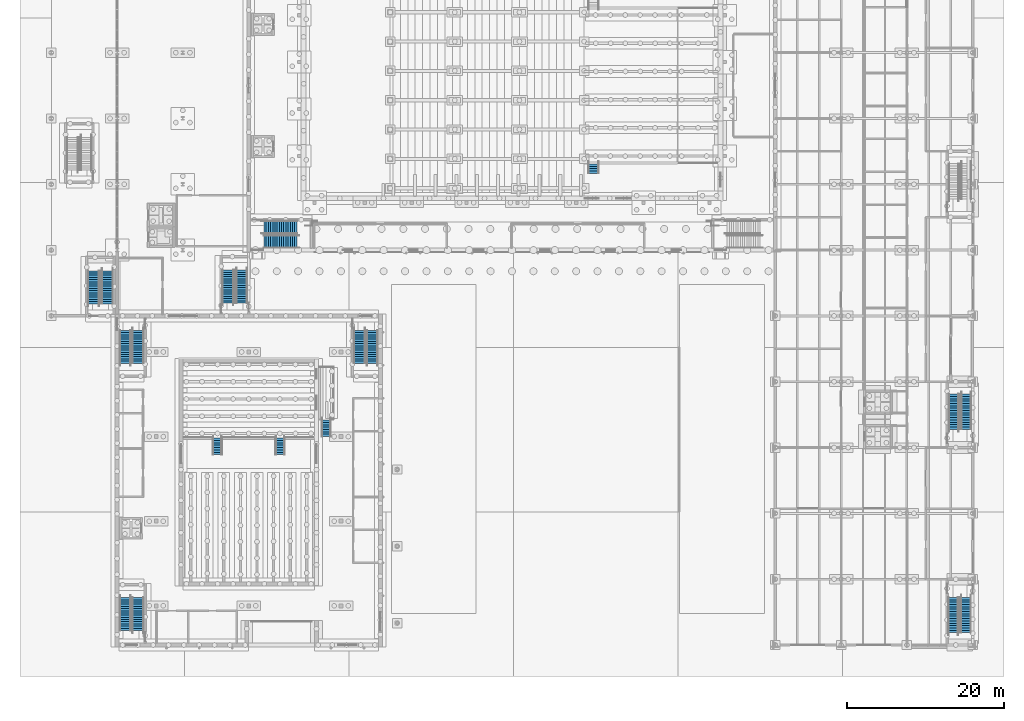
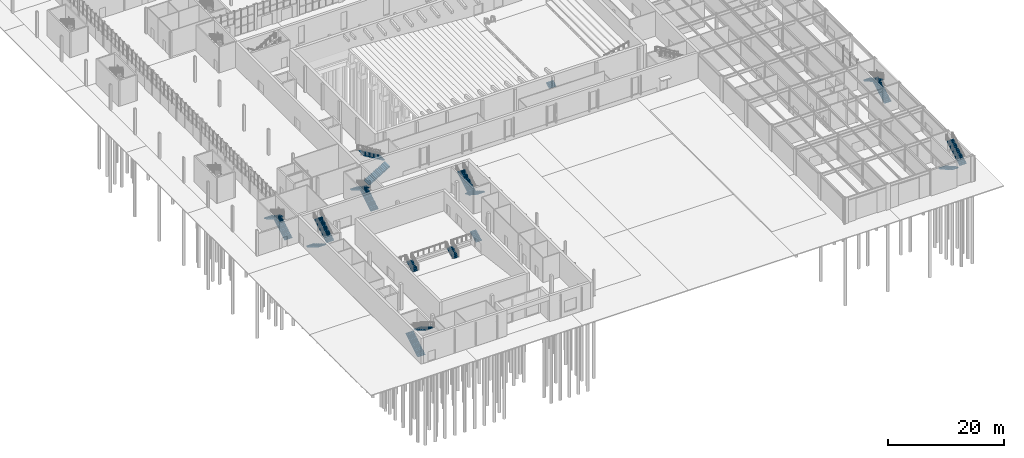
# One storey, part 78 of 127: 20 stair flights, 12 elements without a shape of their own.
"""IFC4 building model written with IfcOpenShell, lengths in metres."""

from ifc_helpers import new_model, si_unit, direction, frame, origin, place, context, subcontext, project, spatial, polyline, outline, extrude, material, type_object, element, aggregate, save


model = new_model("IFC4")

# Units and contexts
model_context = context("Model", 3, precision=1e-05, world=origin(), true_north=direction((0.0, 1.0)))
body_context = subcontext(model_context, "Body", "Model", "MODEL_VIEW")
ifc_project = project(units=[si_unit("LENGTHUNIT", "METRE"), si_unit("AREAUNIT", "SQUARE_METRE"), si_unit("VOLUMEUNIT", "CUBIC_METRE"), si_unit("PLANEANGLEUNIT", "RADIAN"), si_unit("MASSUNIT", "GRAM", prefix="KILO")], contexts=[model_context])

# Site, building, storey
site_placement = place(None, origin())
site = spatial("IfcSite", under=ifc_project, at=site_placement, CompositionType="ELEMENT")
building_placement = place(site_placement, origin())
building = spatial("IfcBuilding", under=site, at=building_placement, Name="Ljudholm Concert House", CompositionType="ELEMENT")
storey_placement = place(building_placement, origin())
storey = spatial("IfcBuildingStorey", under=building, at=storey_placement, Name="L00", CompositionType="ELEMENT", Elevation=0.0)

# Stair, stair flights
ifc_material_1 = material(Name="Concrete 5,000 psi", Category="concrete")
stair_type_1 = type_object("IfcStairType", Name="RC STAIR 1350x169x300", PredefinedType="HALF_TURN_STAIR", material=ifc_material_1)
stair_1_placement = place(storey_placement, origin())
stair_1 = element("IfcStair", 1, at=stair_1_placement, inside=storey, type_object=stair_type_1, Name="Stair SB1", PredefinedType="HALF_TURN_STAIR")
ifc_material_2 = material(Name="Concrete 5,000 psi", Category="concrete")
stair_flight_type_1 = type_object("IfcStairFlightType", Name="RC STAIR FLIGHT 1350x169x300", PredefinedType="STRAIGHT", material=ifc_material_2)
stair_flight_1_placement = place(storey_placement, frame((119.125, 10.074951171875, 0.0), z_axis=(0.0, 0.0, 1.0), x_axis=(0.0, -1.0, 0.0)))
stair_flight_1 = element("IfcStairFlight", 2, at=stair_flight_1_placement, type_object=stair_flight_type_1, Name="ST-W00-001 flight 1", NumberOfRisers=16, NumberOfTreads=15, PredefinedType="STRAIGHT", RiserHeight=0.16875, TreadLength=0.3, context=body_context, shape_type="SweptSolid", body=[
    extrude(outline(polyline([(0.0, 0.0), (0.0, 0.168701171875), (0.300048828125, 0.168701171875), (0.300048828125, 0.33740234375), (0.60009765625, 0.33740234375), (0.60009765625, 0.50634765625), (0.89990234375, 0.50634765625), (0.89990234375, 0.675048828125), (1.199951171875, 0.675048828125), (1.199951171875, 0.84375), (1.5, 0.84375), (1.5, 1.012451171875), (1.800048828125, 1.012451171875), (1.800048828125, 1.18115234375), (2.10009765625, 1.18115234375), (2.10009765625, 1.35009765625), (2.39990234375, 1.35009765625), (2.39990234375, 1.518798828125), (2.699951171875, 1.518798828125), (2.699951171875, 1.6875), (3.0, 1.6875), (3.0, 1.856201171875), (3.300048828125, 1.856201171875), (3.300048828125, 2.02490234375), (3.60009765625, 2.02490234375), (3.60009765625, 2.19384765625), (3.89990234375, 2.19384765625), (3.89990234375, 2.362548828125), (4.199951171875, 2.362548828125), (4.199951171875, 2.53125), (4.5, 2.53125), (4.5, 2.699951171875), (4.5, 2.359375), (0.3056640625, 0.0), (0.0, 0.0)])), frame((0.0, 0.675048828125, 0.0), z_axis=(0.0, -1.0, 0.0), x_axis=(1.0, 0.0, 0.0)), (0.0, 0.0, 1.0), 1.35009765625),
])
stair_flight_2_placement = place(storey_placement, frame((120.72509765625, 5.574951171875, 2.699951171875), z_axis=(0.0, 0.0, 1.0), x_axis=(0.0, 1.0, 0.0)))
stair_flight_2 = element("IfcStairFlight", 3, at=stair_flight_2_placement, type_object=stair_flight_type_1, Name="ST-W00-001 flight 2", NumberOfRisers=16, NumberOfTreads=15, PredefinedType="STRAIGHT", RiserHeight=0.16875, TreadLength=0.3, context=body_context, shape_type="SweptSolid", body=[
    extrude(outline(polyline([(0.0, 0.0), (0.0, 0.168701171875), (0.300048828125, 0.168701171875), (0.300048828125, 0.33740234375), (0.60009765625, 0.33740234375), (0.60009765625, 0.50634765625), (0.89990234375, 0.50634765625), (0.89990234375, 0.675048828125), (1.199951171875, 0.675048828125), (1.199951171875, 0.84375), (1.5, 0.84375), (1.5, 1.012451171875), (1.800048828125, 1.012451171875), (1.800048828125, 1.18115234375), (2.10009765625, 1.18115234375), (2.10009765625, 1.35009765625), (2.39990234375, 1.35009765625), (2.39990234375, 1.518798828125), (2.699951171875, 1.518798828125), (2.699951171875, 1.6875), (3.0, 1.6875), (3.0, 1.856201171875), (3.300048828125, 1.856201171875), (3.300048828125, 2.02490234375), (3.60009765625, 2.02490234375), (3.60009765625, 2.19384765625), (3.89990234375, 2.19384765625), (3.89990234375, 2.362548828125), (4.199951171875, 2.362548828125), (4.199951171875, 2.53125), (4.5, 2.53125), (4.5, 2.699951171875), (4.5, 2.359375), (0.3056640625, 0.0), (0.0, 0.0)])), frame((0.0, 0.675048828125, 0.0), z_axis=(0.0, -1.0, 0.0), x_axis=(1.0, 0.0, 0.0)), (0.0, 0.0, 1.0), 1.35009765625),
])
aggregate(stair_1, [stair_flight_1, stair_flight_2])

stair_2_placement = place(storey_placement, origin())
stair_2 = element("IfcStair", 4, at=stair_2_placement, inside=storey, type_object=stair_type_1, Name="Stair SB2", PredefinedType="HALF_TURN_STAIR")
stair_flight_3_placement = place(storey_placement, frame((120.77490234375, 31.52490234375, 0.0), z_axis=(0.0, 0.0, 1.0), x_axis=(0.0, 1.0, 0.0)))
stair_flight_3 = element("IfcStairFlight", 5, at=stair_flight_3_placement, type_object=stair_flight_type_1, Name="ST-W00-002 flight 1", NumberOfRisers=16, NumberOfTreads=15, PredefinedType="STRAIGHT", RiserHeight=0.16875, TreadLength=0.3, context=body_context, shape_type="SweptSolid", body=[
    extrude(outline(polyline([(0.0, 0.0), (0.0, 0.168701171875), (0.300048828125, 0.168701171875), (0.300048828125, 0.33740234375), (0.60009765625, 0.33740234375), (0.60009765625, 0.50634765625), (0.89990234375, 0.50634765625), (0.89990234375, 0.675048828125), (1.199951171875, 0.675048828125), (1.199951171875, 0.84375), (1.5, 0.84375), (1.5, 1.012451171875), (1.800048828125, 1.012451171875), (1.800048828125, 1.18115234375), (2.10009765625, 1.18115234375), (2.10009765625, 1.35009765625), (2.39990234375, 1.35009765625), (2.39990234375, 1.518798828125), (2.699951171875, 1.518798828125), (2.699951171875, 1.6875), (3.0, 1.6875), (3.0, 1.856201171875), (3.300048828125, 1.856201171875), (3.300048828125, 2.02490234375), (3.60009765625, 2.02490234375), (3.60009765625, 2.19384765625), (3.89990234375, 2.19384765625), (3.89990234375, 2.362548828125), (4.199951171875, 2.362548828125), (4.199951171875, 2.53125), (4.5, 2.53125), (4.5, 2.699951171875), (4.5, 2.359375), (0.3056640625, 0.0), (0.0, 0.0)])), frame((0.0, 0.675048828125, 0.0), z_axis=(0.0, -1.0, 0.0), x_axis=(1.0, 0.0, 0.0)), (0.0, 0.0, 1.0), 1.35009765625),
])
stair_flight_4_placement = place(storey_placement, frame((119.175048828125, 36.02490234375, 2.699951171875), z_axis=(0.0, 0.0, 1.0), x_axis=(0.0, -1.0, 0.0)))
stair_flight_4 = element("IfcStairFlight", 6, at=stair_flight_4_placement, type_object=stair_flight_type_1, Name="ST-W00-002 flight 2", NumberOfRisers=16, NumberOfTreads=15, PredefinedType="STRAIGHT", RiserHeight=0.16875, TreadLength=0.3, context=body_context, shape_type="SweptSolid", body=[
    extrude(outline(polyline([(0.0, 0.0), (0.0, 0.168701171875), (0.300048828125, 0.168701171875), (0.300048828125, 0.33740234375), (0.60009765625, 0.33740234375), (0.60009765625, 0.50634765625), (0.89990234375, 0.50634765625), (0.89990234375, 0.675048828125), (1.199951171875, 0.675048828125), (1.199951171875, 0.84375), (1.5, 0.84375), (1.5, 1.012451171875), (1.800048828125, 1.012451171875), (1.800048828125, 1.18115234375), (2.10009765625, 1.18115234375), (2.10009765625, 1.35009765625), (2.39990234375, 1.35009765625), (2.39990234375, 1.518798828125), (2.699951171875, 1.518798828125), (2.699951171875, 1.6875), (3.0, 1.6875), (3.0, 1.856201171875), (3.300048828125, 1.856201171875), (3.300048828125, 2.02490234375), (3.60009765625, 2.02490234375), (3.60009765625, 2.19384765625), (3.89990234375, 2.19384765625), (3.89990234375, 2.362548828125), (4.199951171875, 2.362548828125), (4.199951171875, 2.53125), (4.5, 2.53125), (4.5, 2.699951171875), (4.5, 2.359375), (0.3056640625, 0.0), (0.0, 0.0)])), frame((0.0, 0.675048828125, 0.0), z_axis=(0.0, -1.0, 0.0), x_axis=(1.0, 0.0, 0.0)), (0.0, 0.0, 1.0), 1.35009765625),
])
aggregate(stair_2, [stair_flight_3, stair_flight_4])

# Stair, stair flight
ifc_material_3 = material(Name="Concrete 5,000 psi", Category="concrete")
stair_type_2 = type_object("IfcStairType", Name="RC STAIR 1400x150x300", PredefinedType="STRAIGHT_RUN_STAIR", material=ifc_material_3)
stair_3_placement = place(storey_placement, origin())
stair_3 = element("IfcStair", 7, at=stair_3_placement, inside=storey, type_object=stair_type_2, Name="Platform stair", PredefinedType="STRAIGHT_RUN_STAIR")
ifc_material_4 = material(Name="Concrete 5,000 psi", Category="concrete")
stair_flight_type_2 = type_object("IfcStairFlightType", Name="RC STAIR FLIGHT 1400x150x300", PredefinedType="STRAIGHT", material=ifc_material_4)
stair_flight_5_placement = place(storey_placement, frame((73.199951171875, 64.199951171875, 0.0), z_axis=(0.0, 0.0, 1.0), x_axis=(0.0, 1.0, 0.0)))
stair_flight_5 = element("IfcStairFlight", 8, at=stair_flight_5_placement, type_object=stair_flight_type_2, Name="ST-H00-005 flight 1", NumberOfRisers=5, NumberOfTreads=4, PredefinedType="STRAIGHT", RiserHeight=0.15, TreadLength=0.3, context=body_context, shape_type="SweptSolid", body=[
    extrude(outline(polyline([(0.0, 0.0), (0.0, 0.14990234375), (0.300048828125, 0.14990234375), (0.300048828125, 0.300048828125), (0.60009765625, 0.300048828125), (0.60009765625, 0.449951171875), (0.89990234375, 0.449951171875), (0.89990234375, 0.60009765625), (1.199951171875, 0.60009765625), (1.199951171875, 0.75), (1.199951171875, 0.432373046875), (0.335205078125, 0.0), (0.0, 0.0)])), frame((0.0, 0.699951171875, 0.0), z_axis=(0.0, -1.0, 0.0), x_axis=(1.0, 0.0, 0.0)), (0.0, 0.0, 1.0), 1.39990234375),
])
aggregate(stair_3, [stair_flight_5])

# Stair, stair flights
ifc_material_5 = material(Name="Concrete 5,000 psi", Category="concrete")
stair_type_3 = type_object("IfcStairType", Name="RC STAIR 1500x169x280", PredefinedType="HALF_TURN_STAIR", material=ifc_material_5)
stair_4_placement = place(storey_placement, origin())
stair_4 = element("IfcStair", 9, at=stair_4_placement, inside=storey, type_object=stair_type_3, Name="Exit stair EC1", PredefinedType="HALF_TURN_STAIR")
ifc_material_6 = material(Name="Concrete 5,000 psi", Category="concrete")
stair_flight_type_3 = type_object("IfcStairFlightType", Name="RC STAIR FLIGHT 1500x169x280", PredefinedType="STRAIGHT", material=ifc_material_6)
stair_flight_6_placement = place(storey_placement, frame((13.449951171875, 5.85009765625, 0.0), z_axis=(0.0, 0.0, 1.0), x_axis=(0.0, 1.0, 0.0)))
stair_flight_6 = element("IfcStairFlight", 10, at=stair_flight_6_placement, type_object=stair_flight_type_3, Name="ST-C00-001 flight 1", NumberOfRisers=16, NumberOfTreads=15, PredefinedType="STRAIGHT", RiserHeight=0.16875, TreadLength=0.28, context=body_context, shape_type="SweptSolid", body=[
    extrude(outline(polyline([(0.0, 0.0), (0.0, 0.168701171875), (0.280029296875, 0.168701171875), (0.280029296875, 0.33740234375), (0.56005859375, 0.33740234375), (0.56005859375, 0.50634765625), (0.840087890625, 0.50634765625), (0.840087890625, 0.675048828125), (1.1201171875, 0.675048828125), (1.1201171875, 0.84375), (1.39990234375, 0.84375), (1.39990234375, 1.012451171875), (1.679931640625, 1.012451171875), (1.679931640625, 1.18115234375), (1.9599609375, 1.18115234375), (1.9599609375, 1.35009765625), (2.239990234375, 1.35009765625), (2.239990234375, 1.518798828125), (2.52001953125, 1.518798828125), (2.52001953125, 1.6875), (2.800048828125, 1.6875), (2.800048828125, 1.856201171875), (3.080078125, 1.856201171875), (3.080078125, 2.02490234375), (3.360107421875, 2.02490234375), (3.360107421875, 2.19384765625), (3.639892578125, 2.19384765625), (3.639892578125, 2.362548828125), (3.919921875, 2.362548828125), (3.919921875, 2.53125), (4.199951171875, 2.53125), (4.199951171875, 2.699951171875), (4.199951171875, 2.356201171875), (0.29052734375, 0.0), (0.0, 0.0)])), frame((0.0, 0.75, 0.0), z_axis=(0.0, -1.0, 0.0), x_axis=(1.0, 0.0, 0.0)), (0.0, 0.0, 1.0), 1.5),
])
stair_flight_7_placement = place(storey_placement, frame((15.050048828125, 10.050048828125, 2.699951171875), z_axis=(0.0, 0.0, 1.0), x_axis=(0.0, -1.0, 0.0)))
stair_flight_7 = element("IfcStairFlight", 11, at=stair_flight_7_placement, type_object=stair_flight_type_3, Name="ST-C00-001 flight 2", NumberOfRisers=16, NumberOfTreads=15, PredefinedType="STRAIGHT", RiserHeight=0.16875, TreadLength=0.28, context=body_context, shape_type="SweptSolid", body=[
    extrude(outline(polyline([(0.0, 0.0), (0.0, 0.168701171875), (0.280029296875, 0.168701171875), (0.280029296875, 0.33740234375), (0.56005859375, 0.33740234375), (0.56005859375, 0.50634765625), (0.840087890625, 0.50634765625), (0.840087890625, 0.675048828125), (1.1201171875, 0.675048828125), (1.1201171875, 0.84375), (1.39990234375, 0.84375), (1.39990234375, 1.012451171875), (1.679931640625, 1.012451171875), (1.679931640625, 1.18115234375), (1.9599609375, 1.18115234375), (1.9599609375, 1.35009765625), (2.239990234375, 1.35009765625), (2.239990234375, 1.518798828125), (2.52001953125, 1.518798828125), (2.52001953125, 1.6875), (2.800048828125, 1.6875), (2.800048828125, 1.856201171875), (3.080078125, 1.856201171875), (3.080078125, 2.02490234375), (3.360107421875, 2.02490234375), (3.360107421875, 2.19384765625), (3.639892578125, 2.19384765625), (3.639892578125, 2.362548828125), (3.919921875, 2.362548828125), (3.919921875, 2.53125), (4.199951171875, 2.53125), (4.199951171875, 2.699951171875), (4.199951171875, 2.356201171875), (0.29052734375, 0.0), (0.0, 0.0)])), frame((0.0, 0.75, 0.0), z_axis=(0.0, -1.0, 0.0), x_axis=(1.0, 0.0, 0.0)), (0.0, 0.0, 1.0), 1.5),
])
aggregate(stair_4, [stair_flight_6, stair_flight_7])

stair_5_placement = place(storey_placement, origin())
stair_5 = element("IfcStair", 12, at=stair_5_placement, inside=storey, type_object=stair_type_3, Name="Exit stair EC2", PredefinedType="HALF_TURN_STAIR")
stair_flight_8_placement = place(storey_placement, frame((13.449951171875, 44.14990234375, 0.0), z_axis=(0.0, 0.0, 1.0), x_axis=(0.0, -1.0, 0.0)))
stair_flight_8 = element("IfcStairFlight", 13, at=stair_flight_8_placement, type_object=stair_flight_type_3, Name="ST-C00-002 flight 1", NumberOfRisers=16, NumberOfTreads=15, PredefinedType="STRAIGHT", RiserHeight=0.16875, TreadLength=0.28, context=body_context, shape_type="SweptSolid", body=[
    extrude(outline(polyline([(0.0, 0.0), (0.0, 0.168701171875), (0.280029296875, 0.168701171875), (0.280029296875, 0.33740234375), (0.56005859375, 0.33740234375), (0.56005859375, 0.50634765625), (0.840087890625, 0.50634765625), (0.840087890625, 0.675048828125), (1.1201171875, 0.675048828125), (1.1201171875, 0.84375), (1.39990234375, 0.84375), (1.39990234375, 1.012451171875), (1.679931640625, 1.012451171875), (1.679931640625, 1.18115234375), (1.9599609375, 1.18115234375), (1.9599609375, 1.35009765625), (2.239990234375, 1.35009765625), (2.239990234375, 1.518798828125), (2.52001953125, 1.518798828125), (2.52001953125, 1.6875), (2.800048828125, 1.6875), (2.800048828125, 1.856201171875), (3.080078125, 1.856201171875), (3.080078125, 2.02490234375), (3.360107421875, 2.02490234375), (3.360107421875, 2.19384765625), (3.639892578125, 2.19384765625), (3.639892578125, 2.362548828125), (3.919921875, 2.362548828125), (3.919921875, 2.53125), (4.199951171875, 2.53125), (4.199951171875, 2.699951171875), (4.199951171875, 2.356201171875), (0.29052734375, 0.0), (0.0, 0.0)])), frame((0.0, 0.75, 0.0), z_axis=(0.0, -1.0, 0.0), x_axis=(1.0, 0.0, 0.0)), (0.0, 0.0, 1.0), 1.5),
])
stair_flight_9_placement = place(storey_placement, frame((15.050048828125, 39.949951171875, 2.699951171875), z_axis=(0.0, 0.0, 1.0), x_axis=(0.0, 1.0, 0.0)))
stair_flight_9 = element("IfcStairFlight", 14, at=stair_flight_9_placement, type_object=stair_flight_type_3, Name="ST-C00-002 flight 2", NumberOfRisers=16, NumberOfTreads=15, PredefinedType="STRAIGHT", RiserHeight=0.16875, TreadLength=0.28, context=body_context, shape_type="SweptSolid", body=[
    extrude(outline(polyline([(0.0, 0.0), (0.0, 0.168701171875), (0.280029296875, 0.168701171875), (0.280029296875, 0.33740234375), (0.56005859375, 0.33740234375), (0.56005859375, 0.50634765625), (0.840087890625, 0.50634765625), (0.840087890625, 0.675048828125), (1.1201171875, 0.675048828125), (1.1201171875, 0.84375), (1.39990234375, 0.84375), (1.39990234375, 1.012451171875), (1.679931640625, 1.012451171875), (1.679931640625, 1.18115234375), (1.9599609375, 1.18115234375), (1.9599609375, 1.35009765625), (2.239990234375, 1.35009765625), (2.239990234375, 1.518798828125), (2.52001953125, 1.518798828125), (2.52001953125, 1.6875), (2.800048828125, 1.6875), (2.800048828125, 1.856201171875), (3.080078125, 1.856201171875), (3.080078125, 2.02490234375), (3.360107421875, 2.02490234375), (3.360107421875, 2.19384765625), (3.639892578125, 2.19384765625), (3.639892578125, 2.362548828125), (3.919921875, 2.362548828125), (3.919921875, 2.53125), (4.199951171875, 2.53125), (4.199951171875, 2.699951171875), (4.199951171875, 2.356201171875), (0.29052734375, 0.0), (0.0, 0.0)])), frame((0.0, 0.75, 0.0), z_axis=(0.0, -1.0, 0.0), x_axis=(1.0, 0.0, 0.0)), (0.0, 0.0, 1.0), 1.5),
])
aggregate(stair_5, [stair_flight_8, stair_flight_9])

stair_6_placement = place(storey_placement, origin())
stair_6 = element("IfcStair", 15, at=stair_6_placement, inside=storey, type_object=stair_type_3, Name="Exit stair EC3", PredefinedType="HALF_TURN_STAIR")
stair_flight_10_placement = place(storey_placement, frame((44.949951171875, 44.14990234375, 0.0), z_axis=(0.0, 0.0, 1.0), x_axis=(0.0, -1.0, 0.0)))
stair_flight_10 = element("IfcStairFlight", 16, at=stair_flight_10_placement, type_object=stair_flight_type_3, Name="ST-C00-003 flight 1", NumberOfRisers=16, NumberOfTreads=15, PredefinedType="STRAIGHT", RiserHeight=0.16875, TreadLength=0.28, context=body_context, shape_type="SweptSolid", body=[
    extrude(outline(polyline([(0.0, 0.0), (0.0, 0.168701171875), (0.280029296875, 0.168701171875), (0.280029296875, 0.33740234375), (0.56005859375, 0.33740234375), (0.56005859375, 0.50634765625), (0.840087890625, 0.50634765625), (0.840087890625, 0.675048828125), (1.1201171875, 0.675048828125), (1.1201171875, 0.84375), (1.39990234375, 0.84375), (1.39990234375, 1.012451171875), (1.679931640625, 1.012451171875), (1.679931640625, 1.18115234375), (1.9599609375, 1.18115234375), (1.9599609375, 1.35009765625), (2.239990234375, 1.35009765625), (2.239990234375, 1.518798828125), (2.52001953125, 1.518798828125), (2.52001953125, 1.6875), (2.800048828125, 1.6875), (2.800048828125, 1.856201171875), (3.080078125, 1.856201171875), (3.080078125, 2.02490234375), (3.360107421875, 2.02490234375), (3.360107421875, 2.19384765625), (3.639892578125, 2.19384765625), (3.639892578125, 2.362548828125), (3.919921875, 2.362548828125), (3.919921875, 2.53125), (4.199951171875, 2.53125), (4.199951171875, 2.699951171875), (4.199951171875, 2.356201171875), (0.29052734375, 0.0), (0.0, 0.0)])), frame((0.0, 0.75, 0.0), z_axis=(0.0, -1.0, 0.0), x_axis=(1.0, 0.0, 0.0)), (0.0, 0.0, 1.0), 1.5),
])
stair_flight_11_placement = place(storey_placement, frame((43.35009765625, 39.949951171875, 2.699951171875), z_axis=(0.0, 0.0, 1.0), x_axis=(0.0, 1.0, 0.0)))
stair_flight_11 = element("IfcStairFlight", 17, at=stair_flight_11_placement, type_object=stair_flight_type_3, Name="ST-C00-003 flight 2", NumberOfRisers=16, NumberOfTreads=15, PredefinedType="STRAIGHT", RiserHeight=0.16875, TreadLength=0.28, context=body_context, shape_type="SweptSolid", body=[
    extrude(outline(polyline([(0.0, 0.0), (0.0, 0.168701171875), (0.280029296875, 0.168701171875), (0.280029296875, 0.33740234375), (0.56005859375, 0.33740234375), (0.56005859375, 0.50634765625), (0.840087890625, 0.50634765625), (0.840087890625, 0.675048828125), (1.1201171875, 0.675048828125), (1.1201171875, 0.84375), (1.39990234375, 0.84375), (1.39990234375, 1.012451171875), (1.679931640625, 1.012451171875), (1.679931640625, 1.18115234375), (1.9599609375, 1.18115234375), (1.9599609375, 1.35009765625), (2.239990234375, 1.35009765625), (2.239990234375, 1.518798828125), (2.52001953125, 1.518798828125), (2.52001953125, 1.6875), (2.800048828125, 1.6875), (2.800048828125, 1.856201171875), (3.080078125, 1.856201171875), (3.080078125, 2.02490234375), (3.360107421875, 2.02490234375), (3.360107421875, 2.19384765625), (3.639892578125, 2.19384765625), (3.639892578125, 2.362548828125), (3.919921875, 2.362548828125), (3.919921875, 2.53125), (4.199951171875, 2.53125), (4.199951171875, 2.699951171875), (4.199951171875, 2.356201171875), (0.29052734375, 0.0), (0.0, 0.0)])), frame((0.0, 0.75, 0.0), z_axis=(0.0, -1.0, 0.0), x_axis=(1.0, 0.0, 0.0)), (0.0, 0.0, 1.0), 1.5),
])
aggregate(stair_6, [stair_flight_10, stair_flight_11])

stair_7_placement = place(storey_placement, origin())
stair_7 = element("IfcStair", 18, at=stair_7_placement, inside=storey, type_object=stair_type_3, Name="Stair", PredefinedType="HALF_TURN_STAIR")
stair_flight_12_placement = place(storey_placement, frame((11.14990234375, 47.550048828125, 0.0), z_axis=(0.0, 0.0, 1.0), x_axis=(0.0, 1.0, 0.0)))
stair_flight_12 = element("IfcStairFlight", 19, at=stair_flight_12_placement, type_object=stair_flight_type_3, Name="ST-S00-001 flight 1", NumberOfRisers=16, NumberOfTreads=15, PredefinedType="STRAIGHT", RiserHeight=0.16875, TreadLength=0.28, context=body_context, shape_type="SweptSolid", body=[
    extrude(outline(polyline([(0.0, 0.0), (0.0, 0.168701171875), (0.280029296875, 0.168701171875), (0.280029296875, 0.33740234375), (0.56005859375, 0.33740234375), (0.56005859375, 0.50634765625), (0.840087890625, 0.50634765625), (0.840087890625, 0.675048828125), (1.1201171875, 0.675048828125), (1.1201171875, 0.84375), (1.39990234375, 0.84375), (1.39990234375, 1.012451171875), (1.679931640625, 1.012451171875), (1.679931640625, 1.18115234375), (1.9599609375, 1.18115234375), (1.9599609375, 1.35009765625), (2.239990234375, 1.35009765625), (2.239990234375, 1.518798828125), (2.52001953125, 1.518798828125), (2.52001953125, 1.6875), (2.800048828125, 1.6875), (2.800048828125, 1.856201171875), (3.080078125, 1.856201171875), (3.080078125, 2.02490234375), (3.360107421875, 2.02490234375), (3.360107421875, 2.19384765625), (3.639892578125, 2.19384765625), (3.639892578125, 2.362548828125), (3.919921875, 2.362548828125), (3.919921875, 2.53125), (4.199951171875, 2.53125), (4.199951171875, 2.699951171875), (4.199951171875, 2.356201171875), (0.29052734375, 0.0), (0.0, 0.0)])), frame((0.0, 0.75, 0.0), z_axis=(0.0, -1.0, 0.0), x_axis=(1.0, 0.0, 0.0)), (0.0, 0.0, 1.0), 1.5),
])
stair_flight_13_placement = place(storey_placement, frame((9.39990234375, 51.75, 2.699951171875), z_axis=(0.0, 0.0, 1.0), x_axis=(0.0, -1.0, 0.0)))
stair_flight_13 = element("IfcStairFlight", 20, at=stair_flight_13_placement, type_object=stair_flight_type_3, Name="ST-S00-001 flight 2", NumberOfRisers=16, NumberOfTreads=15, PredefinedType="STRAIGHT", RiserHeight=0.16875, TreadLength=0.28, context=body_context, shape_type="SweptSolid", body=[
    extrude(outline(polyline([(0.0, 0.0), (0.0, 0.168701171875), (0.280029296875, 0.168701171875), (0.280029296875, 0.33740234375), (0.56005859375, 0.33740234375), (0.56005859375, 0.50634765625), (0.840087890625, 0.50634765625), (0.840087890625, 0.675048828125), (1.1201171875, 0.675048828125), (1.1201171875, 0.84375), (1.39990234375, 0.84375), (1.39990234375, 1.012451171875), (1.679931640625, 1.012451171875), (1.679931640625, 1.18115234375), (1.9599609375, 1.18115234375), (1.9599609375, 1.35009765625), (2.239990234375, 1.35009765625), (2.239990234375, 1.518798828125), (2.52001953125, 1.518798828125), (2.52001953125, 1.6875), (2.800048828125, 1.6875), (2.800048828125, 1.856201171875), (3.080078125, 1.856201171875), (3.080078125, 2.02490234375), (3.360107421875, 2.02490234375), (3.360107421875, 2.19384765625), (3.639892578125, 2.19384765625), (3.639892578125, 2.362548828125), (3.919921875, 2.362548828125), (3.919921875, 2.53125), (4.199951171875, 2.53125), (4.199951171875, 2.699951171875), (4.199951171875, 2.356201171875), (0.29052734375, 0.0), (0.0, 0.0)])), frame((0.0, 0.75, 0.0), z_axis=(0.0, -1.0, 0.0), x_axis=(1.0, 0.0, 0.0)), (0.0, 0.0, 1.0), 1.5),
])
aggregate(stair_7, [stair_flight_12, stair_flight_13])

stair_8_placement = place(storey_placement, origin())
stair_8 = element("IfcStair", 21, at=stair_8_placement, inside=storey, type_object=stair_type_3, Name="Stair", PredefinedType="HALF_TURN_STAIR")
stair_flight_14_placement = place(storey_placement, frame((28.300048828125, 47.64990234375, 0.0), z_axis=(0.0, 0.0, 1.0), x_axis=(0.0, 1.0, 0.0)))
stair_flight_14 = element("IfcStairFlight", 22, at=stair_flight_14_placement, type_object=stair_flight_type_3, Name="ST-S00-002 flight 1", NumberOfRisers=16, NumberOfTreads=15, PredefinedType="STRAIGHT", RiserHeight=0.16875, TreadLength=0.28, context=body_context, shape_type="SweptSolid", body=[
    extrude(outline(polyline([(0.0, 0.0), (0.0, 0.168701171875), (0.280029296875, 0.168701171875), (0.280029296875, 0.33740234375), (0.56005859375, 0.33740234375), (0.56005859375, 0.50634765625), (0.840087890625, 0.50634765625), (0.840087890625, 0.675048828125), (1.1201171875, 0.675048828125), (1.1201171875, 0.84375), (1.39990234375, 0.84375), (1.39990234375, 1.012451171875), (1.679931640625, 1.012451171875), (1.679931640625, 1.18115234375), (1.9599609375, 1.18115234375), (1.9599609375, 1.35009765625), (2.239990234375, 1.35009765625), (2.239990234375, 1.518798828125), (2.52001953125, 1.518798828125), (2.52001953125, 1.6875), (2.800048828125, 1.6875), (2.800048828125, 1.856201171875), (3.080078125, 1.856201171875), (3.080078125, 2.02490234375), (3.360107421875, 2.02490234375), (3.360107421875, 2.19384765625), (3.639892578125, 2.19384765625), (3.639892578125, 2.362548828125), (3.919921875, 2.362548828125), (3.919921875, 2.53125), (4.199951171875, 2.53125), (4.199951171875, 2.699951171875), (4.199951171875, 2.356201171875), (0.29052734375, 0.0), (0.0, 0.0)])), frame((0.0, 0.75, 0.0), z_axis=(0.0, -1.0, 0.0), x_axis=(1.0, 0.0, 0.0)), (0.0, 0.0, 1.0), 1.5),
])
stair_flight_15_placement = place(storey_placement, frame((26.550048828125, 51.85009765625, 2.699951171875), z_axis=(0.0, 0.0, 1.0), x_axis=(0.0, -1.0, 0.0)))
stair_flight_15 = element("IfcStairFlight", 23, at=stair_flight_15_placement, type_object=stair_flight_type_3, Name="ST-S00-002 flight 2", NumberOfRisers=16, NumberOfTreads=15, PredefinedType="STRAIGHT", RiserHeight=0.16875, TreadLength=0.28, context=body_context, shape_type="SweptSolid", body=[
    extrude(outline(polyline([(0.0, 0.0), (0.0, 0.168701171875), (0.280029296875, 0.168701171875), (0.280029296875, 0.33740234375), (0.56005859375, 0.33740234375), (0.56005859375, 0.50634765625), (0.840087890625, 0.50634765625), (0.840087890625, 0.675048828125), (1.1201171875, 0.675048828125), (1.1201171875, 0.84375), (1.39990234375, 0.84375), (1.39990234375, 1.012451171875), (1.679931640625, 1.012451171875), (1.679931640625, 1.18115234375), (1.9599609375, 1.18115234375), (1.9599609375, 1.35009765625), (2.239990234375, 1.35009765625), (2.239990234375, 1.518798828125), (2.52001953125, 1.518798828125), (2.52001953125, 1.6875), (2.800048828125, 1.6875), (2.800048828125, 1.856201171875), (3.080078125, 1.856201171875), (3.080078125, 2.02490234375), (3.360107421875, 2.02490234375), (3.360107421875, 2.19384765625), (3.639892578125, 2.19384765625), (3.639892578125, 2.362548828125), (3.919921875, 2.362548828125), (3.919921875, 2.53125), (4.199951171875, 2.53125), (4.199951171875, 2.699951171875), (4.199951171875, 2.356201171875), (0.29052734375, 0.0), (0.0, 0.0)])), frame((0.0, 0.75, 0.0), z_axis=(0.0, -1.0, 0.0), x_axis=(1.0, 0.0, 0.0)), (0.0, 0.0, 1.0), 1.5),
])
aggregate(stair_8, [stair_flight_14, stair_flight_15])

ifc_material_7 = material(Name="Concrete 5,000 psi", Category="concrete")
stair_type_4 = type_object("IfcStairType", Name="RC STAIR 1700x169x280", PredefinedType="HALF_TURN_STAIR", material=ifc_material_7)
stair_9_placement = place(storey_placement, origin())
stair_9 = element("IfcStair", 24, at=stair_9_placement, inside=storey, type_object=stair_type_4, Name="Exit stair EH1", PredefinedType="HALF_TURN_STAIR")
ifc_material_8 = material(Name="Concrete 5,000 psi", Category="concrete")
stair_flight_type_4 = type_object("IfcStairFlightType", Name="RC STAIR FLIGHT 1700x169x280", PredefinedType="STRAIGHT", material=ifc_material_8)
stair_flight_16_placement = place(storey_placement, frame((31.14990234375, 55.5, 0.0), z_axis=(0.0, 0.0, 1.0), x_axis=(1.0, 0.0, 0.0)))
stair_flight_16 = element("IfcStairFlight", 25, at=stair_flight_16_placement, type_object=stair_flight_type_4, Name="ST-H00-001 flight 1", NumberOfRisers=16, NumberOfTreads=15, PredefinedType="STRAIGHT", RiserHeight=0.16875, TreadLength=0.28, context=body_context, shape_type="SweptSolid", body=[
    extrude(outline(polyline([(0.0, 0.0), (0.0, 0.168701171875), (0.280029296875, 0.168701171875), (0.280029296875, 0.33740234375), (0.56005859375, 0.33740234375), (0.56005859375, 0.50634765625), (0.840087890625, 0.50634765625), (0.840087890625, 0.675048828125), (1.1201171875, 0.675048828125), (1.1201171875, 0.84375), (1.39990234375, 0.84375), (1.39990234375, 1.012451171875), (1.679931640625, 1.012451171875), (1.679931640625, 1.18115234375), (1.9599609375, 1.18115234375), (1.9599609375, 1.35009765625), (2.239990234375, 1.35009765625), (2.239990234375, 1.518798828125), (2.52001953125, 1.518798828125), (2.52001953125, 1.6875), (2.800048828125, 1.6875), (2.800048828125, 1.856201171875), (3.080078125, 1.856201171875), (3.080078125, 2.02490234375), (3.360107421875, 2.02490234375), (3.360107421875, 2.19384765625), (3.639892578125, 2.19384765625), (3.639892578125, 2.362548828125), (3.919921875, 2.362548828125), (3.919921875, 2.53125), (4.199951171875, 2.53125), (4.199951171875, 2.699951171875), (4.199951171875, 2.356201171875), (0.29052734375, 0.0), (0.0, 0.0)])), frame((0.0, 0.85009765625, 0.0), z_axis=(0.0, -1.0, 0.0), x_axis=(1.0, 0.0, 0.0)), (0.0, 0.0, 1.0), 1.699951171875),
])
stair_flight_17_placement = place(storey_placement, frame((35.35009765625, 57.300048828125, 2.699951171875), z_axis=(0.0, 0.0, 1.0), x_axis=(-1.0, 0.0, 0.0)))
stair_flight_17 = element("IfcStairFlight", 26, at=stair_flight_17_placement, type_object=stair_flight_type_4, Name="ST-H00-001 flight 2", NumberOfRisers=16, NumberOfTreads=15, PredefinedType="STRAIGHT", RiserHeight=0.16875, TreadLength=0.28, context=body_context, shape_type="SweptSolid", body=[
    extrude(outline(polyline([(0.0, 0.0), (0.0, 0.168701171875), (0.280029296875, 0.168701171875), (0.280029296875, 0.33740234375), (0.56005859375, 0.33740234375), (0.56005859375, 0.50634765625), (0.840087890625, 0.50634765625), (0.840087890625, 0.675048828125), (1.1201171875, 0.675048828125), (1.1201171875, 0.84375), (1.39990234375, 0.84375), (1.39990234375, 1.012451171875), (1.679931640625, 1.012451171875), (1.679931640625, 1.18115234375), (1.9599609375, 1.18115234375), (1.9599609375, 1.35009765625), (2.239990234375, 1.35009765625), (2.239990234375, 1.518798828125), (2.52001953125, 1.518798828125), (2.52001953125, 1.6875), (2.800048828125, 1.6875), (2.800048828125, 1.856201171875), (3.080078125, 1.856201171875), (3.080078125, 2.02490234375), (3.360107421875, 2.02490234375), (3.360107421875, 2.19384765625), (3.639892578125, 2.19384765625), (3.639892578125, 2.362548828125), (3.919921875, 2.362548828125), (3.919921875, 2.53125), (4.199951171875, 2.53125), (4.199951171875, 2.699951171875), (4.199951171875, 2.356201171875), (0.29052734375, 0.0), (0.0, 0.0)])), frame((0.0, 0.85009765625, 0.0), z_axis=(0.0, -1.0, 0.0), x_axis=(1.0, 0.0, 0.0)), (0.0, 0.0, 1.0), 1.699951171875),
])
aggregate(stair_9, [stair_flight_16, stair_flight_17])

# Stair, stair flight
ifc_material_9 = material(Name="Steel ASTM A36", Category="steel")
stair_type_5 = type_object("IfcStairType", Name="STEEL STAIR 1200x150x300", PredefinedType="STRAIGHT_RUN_STAIR", material=ifc_material_9)
stair_10_placement = place(storey_placement, origin())
stair_10 = element("IfcStair", 27, at=stair_10_placement, inside=storey, type_object=stair_type_5, Name="Platform stair", PredefinedType="STRAIGHT_RUN_STAIR")
ifc_material_10 = material(Name="Steel ASTM A36", Category="steel")
stair_flight_type_5 = type_object("IfcStairFlightType", Name="STEEL STAIR FLIGHT 1200x150x300", PredefinedType="STRAIGHT", material=ifc_material_10)
stair_flight_18_placement = place(storey_placement, frame((25.199951171875, 28.300048828125, 0.0), z_axis=(0.0, 0.0, 1.0), x_axis=(0.0, 1.0, 0.0)))
stair_flight_18 = element("IfcStairFlight", 28, at=stair_flight_18_placement, type_object=stair_flight_type_5, Name="ST-C00-004 flight 1", NumberOfRisers=8, NumberOfTreads=7, PredefinedType="STRAIGHT", RiserHeight=0.15, TreadLength=0.3, context=body_context, shape_type="SweptSolid", body=[
    extrude(outline(polyline([(0.0, 0.0), (0.0, 0.14990234375), (0.300048828125, 0.14990234375), (0.300048828125, 0.300048828125), (0.60009765625, 0.300048828125), (0.60009765625, 0.449951171875), (0.89990234375, 0.449951171875), (0.89990234375, 0.60009765625), (1.199951171875, 0.60009765625), (1.199951171875, 0.75), (1.5, 0.75), (1.5, 0.89990234375), (1.800048828125, 0.89990234375), (1.800048828125, 1.050048828125), (2.10009765625, 1.050048828125), (2.10009765625, 1.199951171875), (2.10009765625, 1.005126953125), (0.089599609375, 0.0), (0.0, 0.0)])), frame((0.0, 0.60009765625, 0.0), z_axis=(0.0, -1.0, 0.0), x_axis=(1.0, 0.0, 0.0)), (0.0, 0.0, 1.0), 1.199951171875),
])
aggregate(stair_10, [stair_flight_18])

stair_11_placement = place(storey_placement, origin())
stair_11 = element("IfcStair", 29, at=stair_11_placement, inside=storey, type_object=stair_type_5, Name="Platform stair", PredefinedType="STRAIGHT_RUN_STAIR")
stair_flight_19_placement = place(storey_placement, frame((33.199951171875, 28.300048828125, 0.0), z_axis=(0.0, 0.0, 1.0), x_axis=(0.0, 1.0, 0.0)))
stair_flight_19 = element("IfcStairFlight", 30, at=stair_flight_19_placement, type_object=stair_flight_type_5, Name="ST-C00-005 flight 1", NumberOfRisers=8, NumberOfTreads=7, PredefinedType="STRAIGHT", RiserHeight=0.15, TreadLength=0.3, context=body_context, shape_type="SweptSolid", body=[
    extrude(outline(polyline([(0.0, 0.0), (0.0, 0.14990234375), (0.300048828125, 0.14990234375), (0.300048828125, 0.300048828125), (0.60009765625, 0.300048828125), (0.60009765625, 0.449951171875), (0.89990234375, 0.449951171875), (0.89990234375, 0.60009765625), (1.199951171875, 0.60009765625), (1.199951171875, 0.75), (1.5, 0.75), (1.5, 0.89990234375), (1.800048828125, 0.89990234375), (1.800048828125, 1.050048828125), (2.10009765625, 1.050048828125), (2.10009765625, 1.199951171875), (2.10009765625, 1.005126953125), (0.089599609375, 0.0), (0.0, 0.0)])), frame((0.0, 0.60009765625, 0.0), z_axis=(0.0, -1.0, 0.0), x_axis=(1.0, 0.0, 0.0)), (0.0, 0.0, 1.0), 1.199951171875),
])
aggregate(stair_11, [stair_flight_19])

stair_12_placement = place(storey_placement, origin())
stair_12 = element("IfcStair", 31, at=stair_12_placement, inside=storey, type_object=stair_type_5, Name="Stage door stair", PredefinedType="STRAIGHT_RUN_STAIR")
stair_flight_20_placement = place(storey_placement, frame((39.10009765625, 30.60009765625, 0.0), z_axis=(0.0, 0.0, 1.0), x_axis=(0.0, 1.0, 0.0)))
stair_flight_20 = element("IfcStairFlight", 32, at=stair_flight_20_placement, type_object=stair_flight_type_5, Name="ST-C00-006 flight 1", NumberOfRisers=8, NumberOfTreads=7, PredefinedType="STRAIGHT", RiserHeight=0.15, TreadLength=0.3, context=body_context, shape_type="SweptSolid", body=[
    extrude(outline(polyline([(0.0, 0.0), (0.0, 0.14990234375), (0.300048828125, 0.14990234375), (0.300048828125, 0.300048828125), (0.60009765625, 0.300048828125), (0.60009765625, 0.449951171875), (0.89990234375, 0.449951171875), (0.89990234375, 0.60009765625), (1.199951171875, 0.60009765625), (1.199951171875, 0.75), (1.5, 0.75), (1.5, 0.89990234375), (1.800048828125, 0.89990234375), (1.800048828125, 1.050048828125), (2.10009765625, 1.050048828125), (2.10009765625, 1.199951171875), (2.10009765625, 1.005126953125), (0.089599609375, 0.0), (0.0, 0.0)])), frame((0.0, 0.60009765625, 0.0), z_axis=(0.0, -1.0, 0.0), x_axis=(1.0, 0.0, 0.0)), (0.0, 0.0, 1.0), 1.199951171875),
])
aggregate(stair_12, [stair_flight_20])

save(model, "model.ifc")
